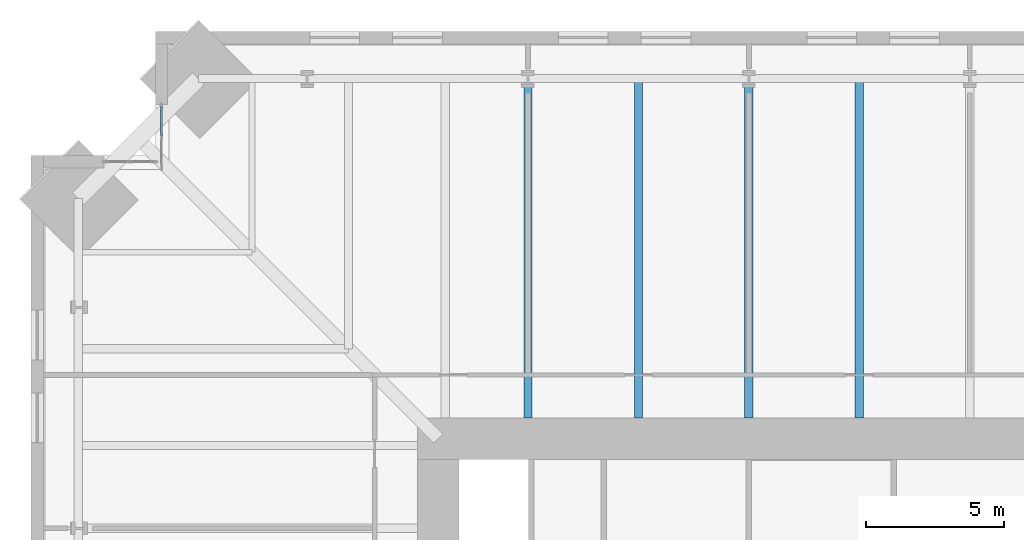
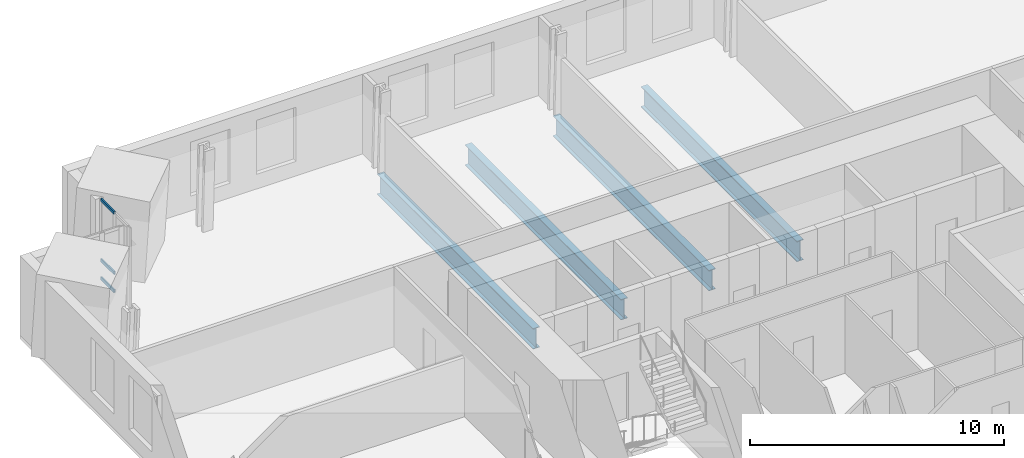
# One storey, part 7 of 18: 4 beams, 3 members, 1 element without a shape of its own.
"""IFC4 building model written with IfcOpenShell, lengths in metres."""

from ifc_helpers import new_model, si_unit, direction, frame, origin, origin_2d, place, context, subcontext, project, spatial, hollow_rectangle, i_section, extrude, material, material_profile, profile_set, type_object, element, aggregate, save


model = new_model("IFC4")

# Units and contexts
model_context = context("Model", 3, precision=1e-05, world=origin(), true_north=direction((0.0, 1.0)))
body_context = subcontext(model_context, "Body", "Model", "MODEL_VIEW")
ifc_project = project(units=[si_unit("LENGTHUNIT", "METRE"), si_unit("AREAUNIT", "SQUARE_METRE"), si_unit("VOLUMEUNIT", "CUBIC_METRE"), si_unit("PLANEANGLEUNIT", "RADIAN"), si_unit("MASSUNIT", "GRAM", prefix="KILO")], contexts=[model_context])

# Site, building, storey
site_placement = place(None, origin())
site = spatial("IfcSite", under=ifc_project, at=site_placement, CompositionType="ELEMENT")
building_placement = place(site_placement, origin())
building = spatial("IfcBuilding", under=site, at=building_placement, Name="Peilmerk Tower", CompositionType="ELEMENT")
storey_placement = place(building_placement, frame((0.0, 0.0, 163.800048828125)))
storey = spatial("IfcBuildingStorey", under=building, at=storey_placement, Name="L34", CompositionType="ELEMENT", Elevation=163.800048828125)

# Beams
ifc_material_1 = material(Name="Steel S355", Category="steel")
ifc_material_profile_1 = material_profile(ifc_material_1, i_section(OverallWidth=0.300048828125, OverallDepth=0.989990234375, WebThickness=0.0166015625, FlangeThickness=0.031005859375, at=origin_2d()), Name="HEA 1000")
ifc_profile_set_1 = profile_set([ifc_material_profile_1], Name="Steel S355")
beam_type = type_object("IfcBeamType", Name="B14 HEA 1000 floor girder", PredefinedType="BEAM", material=ifc_profile_set_1)
for number, where, z_axis, x_axis, name in (
    (1, (4.0, 12.0, -0.6650390625), (0.0, 1.0, 0.0), (-1.0, 0.0, 0.0), "Floor beam L34"),
    (2, (0.0, 12.0, -0.6650390625), (0.0, 1.0, 0.0), (-1.0, 0.0, 0.0), "Floor beam L34"),
    (3, (-4.0, 12.0, -0.6650390625), (0.0, 1.0, 0.0), (-1.0, 0.0, 0.0), "Floor beam L34"),
    (4, (-8.0, 12.0, -0.6650390625), (0.0, 1.0, 0.0), (-1.0, 0.0, 0.0), "Floor beam L34"),
):
    element("IfcBeam", number, at=place(storey_placement, frame(where, z_axis=z_axis, x_axis=x_axis)), inside=storey, type_object=beam_type, Name=name, PredefinedType="BEAM", context=body_context, shape_type="SweptSolid", body=[
        extrude(i_section(OverallWidth=0.300048828125, OverallDepth=0.989990234375, WebThickness=0.0166015625, FlangeThickness=0.031005859375, at=origin_2d()), origin(), (0.0, 0.0, 1.0), 12.2919921875),
    ])

# Curtain wall, members
ifc_material_2 = material(Name="Aluminium stick curtain wall", Category="aluminium")
curtain_wall_type = type_object("IfcCurtainWallType", Name="CW3 stick curtain wall, 2250 module", PredefinedType="NOTDEFINED", material=ifc_material_2)
curtain_wall_placement = place(storey_placement, origin())
curtain_wall = element("IfcCurtainWall", 5, at=curtain_wall_placement, inside=storey, type_object=curtain_wall_type, Name="Curtain wall CW3 NWA L34", PredefinedType="NOTDEFINED")
ifc_material_3 = material(Name="Aluminium EN AW-6063 T6", Category="aluminium")
ifc_material_profile_2 = material_profile(ifc_material_3, hollow_rectangle(XDim=0.06494140625, YDim=0.14990234375, WallThickness=0.0029296875, at=origin_2d()), Name="AL 150x65x3")
ifc_profile_set_2 = profile_set([ifc_material_profile_2], Name="Aluminium EN AW-6063 T6")
member_type = type_object("IfcMemberType", Name="CW3-T AL 150x65x3 transom", PredefinedType="USERDEFINED", material=ifc_profile_set_2)
member_1_placement = place(storey_placement, frame((-21.27490234375, 22.226806640625, 0.032470703125), z_axis=(0.0, 1.0, 0.0), x_axis=(-1.0, 0.0, 0.0)))
member_1 = element("IfcMember", 6, at=member_1_placement, type_object=member_type, Name="CW3 transom 2.1", ObjectType="TRANSOM", PredefinedType="USERDEFINED", context=body_context, shape_type="SweptSolid", body=[
    extrude(hollow_rectangle(XDim=0.06494140625, YDim=0.14990234375, WallThickness=0.0029296875, at=origin_2d()), origin(), (0.0, 0.0, 1.0), 1.046875),
])
member_2_placement = place(storey_placement, frame((-21.27490234375, 22.226806640625, 0.89990234375), z_axis=(0.0, 1.0, 0.0), x_axis=(-1.0, 0.0, 0.0)))
member_2 = element("IfcMember", 7, at=member_2_placement, type_object=member_type, Name="CW3 transom 2.2", ObjectType="TRANSOM", PredefinedType="USERDEFINED", context=body_context, shape_type="SweptSolid", body=[
    extrude(hollow_rectangle(XDim=0.06494140625, YDim=0.14990234375, WallThickness=0.0029296875, at=origin_2d()), origin(), (0.0, 0.0, 1.0), 1.046875),
])
member_3_placement = place(storey_placement, frame((-21.27490234375, 22.226806640625, 3.79736328125), z_axis=(0.0, 1.0, 0.0), x_axis=(-1.0, 0.0, 0.0)))
member_3 = element("IfcMember", 8, at=member_3_placement, type_object=member_type, Name="CW3 transom 2.3", ObjectType="TRANSOM", PredefinedType="USERDEFINED", context=body_context, shape_type="SweptSolid", body=[
    extrude(hollow_rectangle(XDim=0.06494140625, YDim=0.14990234375, WallThickness=0.0029296875, at=origin_2d()), origin(), (0.0, 0.0, 1.0), 1.046875),
])
aggregate(curtain_wall, [member_1, member_2, member_3])

save(model, "model.ifc")
